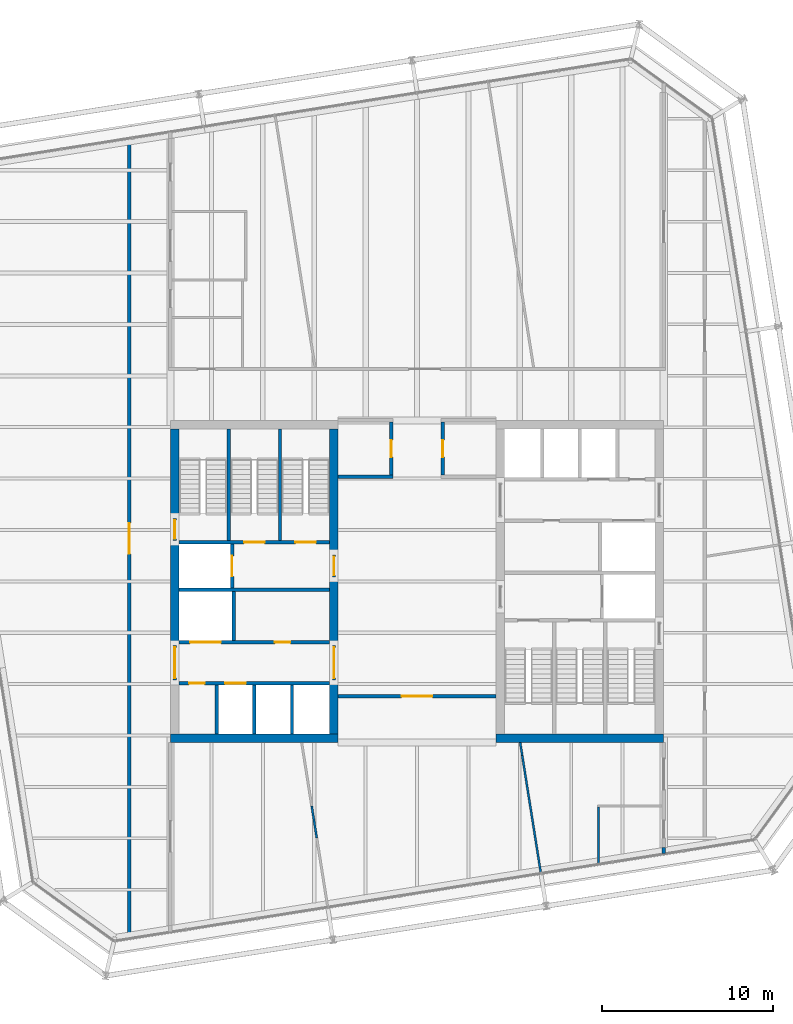
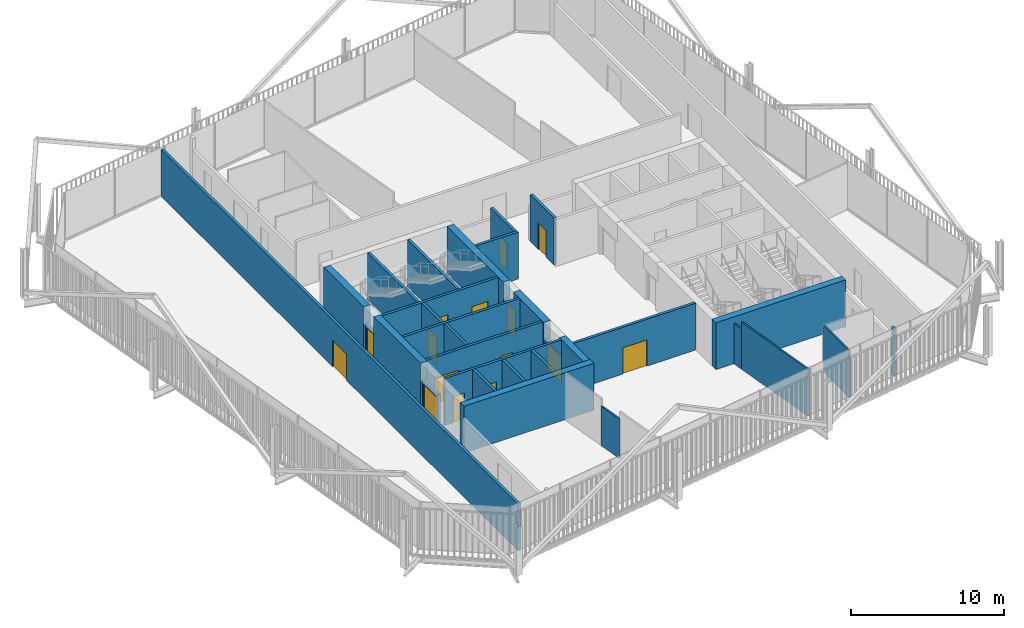
# One storey, part 17 of 21: 32 walls, 15 doors, 15 openings.
"""IFC4 building model written with IfcOpenShell, lengths in metres."""

from ifc_helpers import new_model, si_unit, direction, frame, frame_2d, origin, place, context, subcontext, project, spatial, rectangle, extrude, material, layer, layer_set, type_object, element, fill, save


model = new_model("IFC4")

# Units and contexts
model_context = context("Model", 3, precision=1e-05, world=origin(), true_north=direction((0.0, 1.0)))
body_context = subcontext(model_context, "Body", "Model", "MODEL_VIEW")
ifc_project = project(units=[si_unit("LENGTHUNIT", "METRE"), si_unit("AREAUNIT", "SQUARE_METRE"), si_unit("VOLUMEUNIT", "CUBIC_METRE"), si_unit("PLANEANGLEUNIT", "RADIAN"), si_unit("MASSUNIT", "GRAM", prefix="KILO")], contexts=[model_context])

# Site, building, storey
site_placement = place(None, origin())
site = spatial("IfcSite", under=ifc_project, at=site_placement, CompositionType="ELEMENT")
building_placement = place(site_placement, origin())
building = spatial("IfcBuilding", under=site, at=building_placement, Name="Millrace Tower", CompositionType="ELEMENT")
storey_placement = place(building_placement, frame((0.0, 0.0, 228.10009765625)))
storey = spatial("IfcBuildingStorey", under=building, at=storey_placement, Name="L52", CompositionType="ELEMENT", Elevation=228.10009765625)

# Walls
ifc_material_1 = material(Name="Concrete C60", Category="concrete")
ifc_layer_1 = layer(ifc_material_1, 0.5)
ifc_layer_set_1 = layer_set([ifc_layer_1], Name="Concrete C60")
wall_type_1 = type_object("IfcWallType", Name="Core wall 500 Concrete C60", PredefinedType="SHEAR", material=ifc_layer_set_1)
wall_1_placement = place(storey_placement, frame((-14.39990234375, -9.14990234375, 0.0), z_axis=(0.0, 0.0, 1.0), x_axis=(1.0, 0.0, 0.0)))
element("IfcWall", 1, at=wall_1_placement, inside=storey, type_object=wall_type_1, Name="Core wall W L52", PredefinedType="SHEAR", context=body_context, shape_type="SweptSolid", body=[
    extrude(rectangle(XDim=9.7998046875, YDim=0.5, at=frame_2d((4.89990234375, 0.0))), origin(), (0.0, 0.0, 1.0), 3.739990234375),
])
wall_2_placement = place(storey_placement, frame((-14.14990234375, -3.75, 0.0), z_axis=(0.0, 0.0, 1.0), x_axis=(0.0, 1.0, 0.0)))
element("IfcWall", 2, at=wall_2_placement, inside=storey, type_object=wall_type_1, Name="Core wall W L52", PredefinedType="SHEAR", context=body_context, shape_type="SweptSolid", body=[
    extrude(rectangle(XDim=6.1298828125, YDim=0.5, at=frame_2d((3.06494140625, 0.0))), origin(), (0.0, 0.0, 1.0), 3.739990234375),
])
wall_3_placement = place(storey_placement, frame((-14.14990234375, 3.679931640625, 0.0), z_axis=(0.0, 0.0, 1.0), x_axis=(0.0, 1.0, 0.0)))
element("IfcWall", 3, at=wall_3_placement, inside=storey, type_object=wall_type_1, Name="Core wall W L52", PredefinedType="SHEAR", context=body_context, shape_type="SweptSolid", body=[
    extrude(rectangle(XDim=5.219970703125, YDim=0.5, at=frame_2d((2.60986328125, 0.0))), origin(), (0.0, 0.0, 1.0), 3.739990234375),
])
wall_4_placement = place(storey_placement, frame((-4.85009765625, -8.89990234375, 0.0), z_axis=(0.0, 0.0, 1.0), x_axis=(0.0, 1.0, 0.0)))
element("IfcWall", 4, at=wall_4_placement, inside=storey, type_object=wall_type_1, Name="Core wall W L52", PredefinedType="SHEAR", context=body_context, shape_type="SweptSolid", body=[
    extrude(rectangle(XDim=3.14990234375, YDim=0.5, at=frame_2d((1.574951171875, 0.0))), origin(), (0.0, 0.0, 1.0), 3.739990234375),
])
wall_5_placement = place(storey_placement, frame((-4.85009765625, -3.75, 0.0), z_axis=(0.0, 0.0, 1.0), x_axis=(0.0, 1.0, 0.0)))
element("IfcWall", 5, at=wall_5_placement, inside=storey, type_object=wall_type_1, Name="Core wall W L52", PredefinedType="SHEAR", context=body_context, shape_type="SweptSolid", body=[
    extrude(rectangle(XDim=4.0, YDim=0.5, at=frame_2d((2.0, 0.0))), origin(), (0.0, 0.0, 1.0), 3.739990234375),
])
wall_6_placement = place(storey_placement, frame((-4.85009765625, 1.550048828125, 0.0), z_axis=(0.0, 0.0, 1.0), x_axis=(0.0, 1.0, 0.0)))
element("IfcWall", 6, at=wall_6_placement, inside=storey, type_object=wall_type_1, Name="Core wall W L52", PredefinedType="SHEAR", context=body_context, shape_type="SweptSolid", body=[
    extrude(rectangle(XDim=7.349853515625, YDim=0.5, at=frame_2d((3.6748046875, 0.0))), origin(), (0.0, 0.0, 1.0), 3.739990234375),
])
wall_7_placement = place(storey_placement, frame((14.39990234375, -9.14990234375, 0.0), z_axis=(0.0, 0.0, 1.0), x_axis=(-1.0, 0.0, 0.0)))
element("IfcWall", 7, at=wall_7_placement, inside=storey, type_object=wall_type_1, Name="Core wall E L52", PredefinedType="SHEAR", context=body_context, shape_type="SweptSolid", body=[
    extrude(rectangle(XDim=9.7998046875, YDim=0.5, at=frame_2d((4.89990234375, 0.0))), origin(), (0.0, 0.0, 1.0), 3.739990234375),
])

# Wall, opening, door
ifc_material_2 = material(Name="Masonry partition, fire-rated", Category="masonry")
ifc_layer_2 = layer(ifc_material_2, 0.199951171875)
ifc_layer_set_2 = layer_set([ifc_layer_2], Name="Masonry partition, fire-rated")
wall_type_2 = type_object("IfcWallType", Name="Corridor wall 200", PredefinedType="PARTITIONING", material=ifc_layer_set_2)
wall_8_placement = place(storey_placement, frame((-4.60009765625, -6.699951171875, 0.0), z_axis=(0.0, 0.0, 1.0), x_axis=(1.0, 0.0, 0.0)))
wall_8 = element("IfcWall", 8, at=wall_8_placement, inside=storey, type_object=wall_type_2, Name="Corridor wall L52", PredefinedType="PARTITIONING", context=body_context, shape_type="SweptSolid", body=[
    extrude(rectangle(XDim=9.2001953125, YDim=0.199951171875, at=frame_2d((4.60009765625, 0.0))), origin(), (0.0, 0.0, 1.0), 3.739990234375),
])
opening_1_placement = place(wall_8_placement, frame((3.699951171875, 0.0, 0.0)))
opening_1 = element("IfcOpeningElement", 9, at=opening_1_placement, cuts=wall_8, Name="Opening 52-P013", PredefinedType="OPENING", context=body_context, shape_type="SweptSolid", body=[
    extrude(rectangle(XDim=1.800048828125, YDim=2.10009765625, at=frame_2d((0.89990234375, 1.050048828125))), frame((0.0, 0.10986328125, 0.0), z_axis=(0.0, -1.0, 0.0), x_axis=(1.0, 0.0, 0.0)), (0.0, 0.0, 1.0), 0.219970703125),
])
ifc_material_3 = material(Name="Steel door set, fire-rated", Category="steel")
door_type_1 = type_object("IfcDoorType", Name="Corridor door 1800 x 2100", OperationType="DOUBLE_DOOR_SINGLE_SWING", PredefinedType="DOOR", material=ifc_material_3)
door_1_placement = place(opening_1_placement, frame((1.800048828125, 0.0, 0.0), z_axis=(0.0, 0.0, 1.0), x_axis=(-1.0, 0.0, 0.0)))
door_1 = element("IfcDoor", 10, at=door_1_placement, inside=storey, type_object=door_type_1, Name="Door 52-P013", OperationType="DOUBLE_DOOR_SINGLE_SWING", OverallHeight=2.10009765625, OverallWidth=1.800048828125, PredefinedType="DOOR", context=body_context, shape_type="SweptSolid", body=[
    extrude(rectangle(XDim=1.800048828125, YDim=2.10009765625, at=frame_2d((0.89990234375, 1.050048828125))), frame((0.0, 0.02490234375, 0.0), z_axis=(0.0, -1.0, 0.0), x_axis=(1.0, 0.0, 0.0)), (0.0, 0.0, 1.0), 0.050048828125),
])
fill(opening_1, door_1)

# Walls
wall_9_placement = place(storey_placement, frame((-4.60009765625, 6.10009765625, 0.0), z_axis=(0.0, 0.0, 1.0), x_axis=(1.0, 0.0, 0.0)))
element("IfcWall", 11, at=wall_9_placement, inside=storey, type_object=wall_type_2, Name="Corridor wall L52", PredefinedType="PARTITIONING", context=body_context, shape_type="SweptSolid", body=[
    extrude(rectangle(XDim=3.2001953125, YDim=0.199951171875, at=frame_2d((1.60009765625, 0.0))), origin(), (0.0, 0.0, 1.0), 3.739990234375),
])
wall_10_placement = place(storey_placement, frame((14.39990234375, -15.87451171875, 0.0), z_axis=(0.0, 0.0, 1.0), x_axis=(0.0, 1.0, 0.0)))
element("IfcWall", 12, at=wall_10_placement, inside=storey, type_object=wall_type_2, Name="Corridor wall L52", PredefinedType="PARTITIONING", context=body_context, shape_type="SweptSolid", body=[
    extrude(rectangle(XDim=0.349609375, YDim=0.199951171875, at=frame_2d((0.1748046875, 0.0))), origin(), (0.0, 0.0, 1.0), 3.739990234375),
])

# Wall, opening, door
wall_11_placement = place(storey_placement, frame((1.5, 6.199951171875, 0.0), z_axis=(0.0, 0.0, 1.0), x_axis=(0.0, 1.0, 0.0)))
wall_11 = element("IfcWall", 13, at=wall_11_placement, inside=storey, type_object=wall_type_2, Name="Corridor wall L52", PredefinedType="PARTITIONING", context=body_context, shape_type="SweptSolid", body=[
    extrude(rectangle(XDim=3.10009765625, YDim=0.199951171875, at=frame_2d((1.550048828125, 0.0))), origin(), (0.0, 0.0, 1.0), 3.739990234375),
])
opening_2_placement = place(wall_11_placement, frame((1.050048828125, 0.0, 0.0)))
opening_2 = element("IfcOpeningElement", 14, at=opening_2_placement, cuts=wall_11, Name="Opening 52-P002", PredefinedType="OPENING", context=body_context, shape_type="SweptSolid", body=[
    extrude(rectangle(XDim=1.0, YDim=2.10009765625, at=frame_2d((0.5, 1.050048828125))), frame((0.0, 0.10986328125, 0.0), z_axis=(0.0, -1.0, 0.0), x_axis=(1.0, 0.0, 0.0)), (0.0, 0.0, 1.0), 0.219970703125),
])
ifc_material_4 = material(Name="Steel door set, fire-rated", Category="steel")
door_type_2 = type_object("IfcDoorType", Name="Corridor door 1000 x 2100", OperationType="SINGLE_SWING_LEFT", PredefinedType="DOOR", material=ifc_material_4)
door_2_placement = place(opening_2_placement, frame((1.0, 0.0, 0.0), z_axis=(0.0, 0.0, 1.0), x_axis=(-1.0, 0.0, 0.0)))
door_2 = element("IfcDoor", 15, at=door_2_placement, inside=storey, type_object=door_type_2, Name="Door 52-P002", OperationType="SINGLE_SWING_RIGHT", OverallHeight=2.10009765625, OverallWidth=1.0, PredefinedType="DOOR", context=body_context, shape_type="SweptSolid", body=[
    extrude(rectangle(XDim=1.0, YDim=2.10009765625, at=frame_2d((0.5, 1.050048828125))), frame((0.0, 0.02490234375, 0.0), z_axis=(0.0, -1.0, 0.0), x_axis=(1.0, 0.0, 0.0)), (0.0, 0.0, 1.0), 0.050048828125),
])
fill(opening_2, door_2)

wall_12_placement = place(storey_placement, frame((-1.5, 6.199951171875, 0.0), z_axis=(0.0, 0.0, 1.0), x_axis=(0.0, 1.0, 0.0)))
wall_12 = element("IfcWall", 16, at=wall_12_placement, inside=storey, type_object=wall_type_2, Name="Corridor wall L52", PredefinedType="PARTITIONING", context=body_context, shape_type="SweptSolid", body=[
    extrude(rectangle(XDim=3.10009765625, YDim=0.199951171875, at=frame_2d((1.550048828125, 0.0))), origin(), (0.0, 0.0, 1.0), 3.739990234375),
])
opening_3_placement = place(wall_12_placement, frame((1.050048828125, 0.0, 0.0)))
opening_3 = element("IfcOpeningElement", 17, at=opening_3_placement, cuts=wall_12, Name="Opening 52-P001", PredefinedType="OPENING", context=body_context, shape_type="SweptSolid", body=[
    extrude(rectangle(XDim=1.0, YDim=2.10009765625, at=frame_2d((0.5, 1.050048828125))), frame((0.0, 0.10986328125, 0.0), z_axis=(0.0, -1.0, 0.0), x_axis=(1.0, 0.0, 0.0)), (0.0, 0.0, 1.0), 0.219970703125),
])
door_3_placement = place(opening_3_placement, origin())
door_3 = element("IfcDoor", 18, at=door_3_placement, inside=storey, type_object=door_type_2, Name="Door 52-P001", OperationType="SINGLE_SWING_LEFT", OverallHeight=2.10009765625, OverallWidth=1.0, PredefinedType="DOOR", context=body_context, shape_type="SweptSolid", body=[
    extrude(rectangle(XDim=1.0, YDim=2.10009765625, at=frame_2d((0.5, 1.050048828125))), frame((0.0, 0.02490234375, 0.0), z_axis=(0.0, -1.0, 0.0), x_axis=(1.0, 0.0, 0.0)), (0.0, 0.0, 1.0), 0.050048828125),
])
fill(opening_3, door_3)

wall_13_placement = place(storey_placement, frame((-16.800048828125, -20.816162109375, 0.0), z_axis=(0.0, 0.0, 1.0), x_axis=(0.0, 1.0, 0.0)))
wall_13 = element("IfcWall", 19, at=wall_13_placement, inside=storey, type_object=wall_type_2, Name="Corridor wall L52", PredefinedType="PARTITIONING", context=body_context, shape_type="SweptSolid", body=[
    extrude(rectangle(XDim=46.63427734375, YDim=0.199951171875, at=frame_2d((23.317138671875, 0.0))), origin(), (0.0, 0.0, 1.0), 3.739990234375),
])
opening_4_placement = place(wall_13_placement, frame((22.416748046875, 0.0, 0.0)))
opening_4 = element("IfcOpeningElement", 20, at=opening_4_placement, cuts=wall_13, Name="Opening 52-P003", PredefinedType="OPENING", context=body_context, shape_type="SweptSolid", body=[
    extrude(rectangle(XDim=1.800048828125, YDim=2.10009765625, at=frame_2d((0.89990234375, 1.050048828125))), frame((0.0, 0.10986328125, 0.0), z_axis=(0.0, -1.0, 0.0), x_axis=(1.0, 0.0, 0.0)), (0.0, 0.0, 1.0), 0.219970703125),
])
door_4_placement = place(opening_4_placement, frame((1.800048828125, 0.0, 0.0), z_axis=(0.0, 0.0, 1.0), x_axis=(-1.0, 0.0, 0.0)))
door_4 = element("IfcDoor", 21, at=door_4_placement, inside=storey, type_object=door_type_1, Name="Door 52-P003", OperationType="DOUBLE_DOOR_SINGLE_SWING", OverallHeight=2.10009765625, OverallWidth=1.800048828125, PredefinedType="DOOR", context=body_context, shape_type="SweptSolid", body=[
    extrude(rectangle(XDim=1.800048828125, YDim=2.10009765625, at=frame_2d((0.89990234375, 1.050048828125))), frame((0.0, 0.02490234375, 0.0), z_axis=(0.0, -1.0, 0.0), x_axis=(1.0, 0.0, 0.0)), (0.0, 0.0, 1.0), 0.050048828125),
])
fill(opening_4, door_4)

# Wall, openings, doors
ifc_material_5 = material(Name="Masonry partition, fire-rated", Category="masonry")
ifc_layer_3 = layer(ifc_material_5, 0.199951171875)
ifc_layer_set_3 = layer_set([ifc_layer_3], Name="Masonry partition, fire-rated")
wall_type_3 = type_object("IfcWallType", Name="Lift shaft wall 200", PredefinedType="PARTITIONING", material=ifc_layer_set_3)
wall_14_placement = place(storey_placement, frame((-13.89990234375, -5.949951171875, 0.0), z_axis=(0.0, 0.0, 1.0), x_axis=(1.0, 0.0, 0.0)))
wall_14 = element("IfcWall", 22, at=wall_14_placement, inside=storey, type_object=wall_type_3, Name="Lift shaft wall W L52", PredefinedType="PARTITIONING", context=body_context, shape_type="SweptSolid", body=[
    extrude(rectangle(XDim=8.7998046875, YDim=0.199951171875, at=frame_2d((4.39990234375, 0.0))), origin(), (0.0, 0.0, 1.0), 3.739990234375),
])
opening_5_placement = place(wall_14_placement, frame((2.699951171875, 0.0, 0.0)))
opening_5 = element("IfcOpeningElement", 23, at=opening_5_placement, cuts=wall_14, Name="Opening 52-LD02", PredefinedType="OPENING", context=body_context, shape_type="SweptSolid", body=[
    extrude(rectangle(XDim=1.199951171875, YDim=2.10009765625, at=frame_2d((0.60009765625, 1.050048828125))), frame((0.0, 0.10986328125, 0.0), z_axis=(0.0, -1.0, 0.0), x_axis=(1.0, 0.0, 0.0)), (0.0, 0.0, 1.0), 0.219970703125),
])
opening_6_placement = place(wall_14_placement, frame((0.60009765625, 0.0, 0.0)))
opening_6 = element("IfcOpeningElement", 24, at=opening_6_placement, cuts=wall_14, Name="Opening 52-C005", PredefinedType="OPENING", context=body_context, shape_type="SweptSolid", body=[
    extrude(rectangle(XDim=0.89990234375, YDim=2.10009765625, at=frame_2d((0.449951171875, 1.050048828125))), frame((0.0, 0.10986328125, 0.0), z_axis=(0.0, -1.0, 0.0), x_axis=(1.0, 0.0, 0.0)), (0.0, 0.0, 1.0), 0.219970703125),
])
ifc_material_6 = material(Name="Stainless steel, fire-rated", Category="steel")
door_type_3 = type_object("IfcDoorType", Name="Lift landing door 1200 x 2100", OperationType="DOUBLE_DOOR_SLIDING", PredefinedType="DOOR", material=ifc_material_6)
door_5_placement = place(opening_5_placement, origin())
door_5 = element("IfcDoor", 25, at=door_5_placement, inside=storey, type_object=door_type_3, Name="Lift landing door LF2 L52", OperationType="DOUBLE_DOOR_SLIDING", OverallHeight=2.10009765625, OverallWidth=1.199951171875, PredefinedType="DOOR", context=body_context, shape_type="SweptSolid", body=[
    extrude(rectangle(XDim=1.199951171875, YDim=2.10009765625, at=frame_2d((0.60009765625, 1.050048828125))), frame((0.0, 0.02490234375, 0.0), z_axis=(0.0, -1.0, 0.0), x_axis=(1.0, 0.0, 0.0)), (0.0, 0.0, 1.0), 0.050048828125),
])
fill(opening_5, door_5)
ifc_material_7 = material(Name="Steel door, fire-rated", Category="steel")
door_type_4 = type_object("IfcDoorType", Name="Service room door 900 x 2100", OperationType="SINGLE_SWING_LEFT", PredefinedType="DOOR", material=ifc_material_7)
door_6_placement = place(opening_6_placement, frame((0.89990234375, 0.0, 0.0), z_axis=(0.0, 0.0, 1.0), x_axis=(-1.0, 0.0, 0.0)))
door_6 = element("IfcDoor", 26, at=door_6_placement, inside=storey, type_object=door_type_4, Name="Service room door 52-C005", OperationType="SINGLE_SWING_RIGHT", OverallHeight=2.10009765625, OverallWidth=0.89990234375, PredefinedType="DOOR", context=body_context, shape_type="SweptSolid", body=[
    extrude(rectangle(XDim=0.89990234375, YDim=2.10009765625, at=frame_2d((0.449951171875, 1.050048828125))), frame((0.0, 0.02490234375, 0.0), z_axis=(0.0, -1.0, 0.0), x_axis=(1.0, 0.0, 0.0)), (0.0, 0.0, 1.0), 0.050048828125),
])
fill(opening_6, door_6)

wall_15_placement = place(storey_placement, frame((-13.89990234375, -3.550048828125, 0.0), z_axis=(0.0, 0.0, 1.0), x_axis=(1.0, 0.0, 0.0)))
wall_15 = element("IfcWall", 27, at=wall_15_placement, inside=storey, type_object=wall_type_3, Name="Lift shaft wall W L52", PredefinedType="PARTITIONING", context=body_context, shape_type="SweptSolid", body=[
    extrude(rectangle(XDim=8.7998046875, YDim=0.199951171875, at=frame_2d((4.39990234375, 0.0))), origin(), (0.0, 0.0, 1.0), 3.739990234375),
])
opening_7_placement = place(wall_15_placement, frame((0.64990234375, 0.0, 0.0)))
opening_7 = element("IfcOpeningElement", 28, at=opening_7_placement, cuts=wall_15, Name="Opening 52-LD05", PredefinedType="OPENING", context=body_context, shape_type="SweptSolid", body=[
    extrude(rectangle(XDim=1.800048828125, YDim=2.10009765625, at=frame_2d((0.89990234375, 1.050048828125))), frame((0.0, 0.10986328125, 0.0), z_axis=(0.0, -1.0, 0.0), x_axis=(1.0, 0.0, 0.0)), (0.0, 0.0, 1.0), 0.219970703125),
])
opening_8_placement = place(wall_15_placement, frame((5.60009765625, 0.0, 0.0)))
opening_8 = element("IfcOpeningElement", 29, at=opening_8_placement, cuts=wall_15, Name="Opening 52-C006", PredefinedType="OPENING", context=body_context, shape_type="SweptSolid", body=[
    extrude(rectangle(XDim=0.89990234375, YDim=2.10009765625, at=frame_2d((0.449951171875, 1.050048828125))), frame((0.0, 0.10986328125, 0.0), z_axis=(0.0, -1.0, 0.0), x_axis=(1.0, 0.0, 0.0)), (0.0, 0.0, 1.0), 0.219970703125),
])
ifc_material_8 = material(Name="Stainless steel, fire-rated", Category="steel")
door_type_5 = type_object("IfcDoorType", Name="Lift landing door 1800 x 2100", OperationType="DOUBLE_DOOR_SLIDING", PredefinedType="DOOR", material=ifc_material_8)
door_7_placement = place(opening_7_placement, origin())
door_7 = element("IfcDoor", 30, at=door_7_placement, inside=storey, type_object=door_type_5, Name="Lift landing door LF5 L52", OperationType="DOUBLE_DOOR_SLIDING", OverallHeight=2.10009765625, OverallWidth=1.800048828125, PredefinedType="DOOR", context=body_context, shape_type="SweptSolid", body=[
    extrude(rectangle(XDim=1.800048828125, YDim=2.10009765625, at=frame_2d((0.89990234375, 1.050048828125))), frame((0.0, 0.02490234375, 0.0), z_axis=(0.0, -1.0, 0.0), x_axis=(1.0, 0.0, 0.0)), (0.0, 0.0, 1.0), 0.050048828125),
])
fill(opening_7, door_7)
door_8_placement = place(opening_8_placement, origin())
door_8 = element("IfcDoor", 31, at=door_8_placement, inside=storey, type_object=door_type_4, Name="Service room door 52-C006", OperationType="SINGLE_SWING_RIGHT", OverallHeight=2.10009765625, OverallWidth=0.89990234375, PredefinedType="DOOR", context=body_context, shape_type="SweptSolid", body=[
    extrude(rectangle(XDim=0.89990234375, YDim=2.10009765625, at=frame_2d((0.449951171875, 1.050048828125))), frame((0.0, 0.02490234375, 0.0), z_axis=(0.0, -1.0, 0.0), x_axis=(1.0, 0.0, 0.0)), (0.0, 0.0, 1.0), 0.050048828125),
])
fill(opening_8, door_8)

# Wall
wall_16_placement = place(storey_placement, frame((-13.89990234375, -0.5, 0.0), z_axis=(0.0, 0.0, 1.0), x_axis=(1.0, 0.0, 0.0)))
element("IfcWall", 32, at=wall_16_placement, inside=storey, type_object=wall_type_3, Name="Lift shaft wall W L52", PredefinedType="PARTITIONING", context=body_context, shape_type="SweptSolid", body=[
    extrude(rectangle(XDim=8.7998046875, YDim=0.199951171875, at=frame_2d((4.39990234375, 0.0))), origin(), (0.0, 0.0, 1.0), 3.739990234375),
])

# Wall, opening, door
wall_17_placement = place(storey_placement, frame((-10.800048828125, -0.39990234375, 0.0), z_axis=(0.0, 0.0, 1.0), x_axis=(0.0, 1.0, 0.0)))
wall_17 = element("IfcWall", 33, at=wall_17_placement, inside=storey, type_object=wall_type_3, Name="Lift shaft wall W L52", PredefinedType="PARTITIONING", context=body_context, shape_type="SweptSolid", body=[
    extrude(rectangle(XDim=2.579833984375, YDim=0.199951171875, at=frame_2d((1.2900390625, 0.0))), origin(), (0.0, 0.0, 1.0), 3.739990234375),
])
opening_9_placement = place(wall_17_placement, frame((0.68994140625, 0.0, 0.0)))
opening_9 = element("IfcOpeningElement", 34, at=opening_9_placement, cuts=wall_17, Name="Opening 52-LD08", PredefinedType="OPENING", context=body_context, shape_type="SweptSolid", body=[
    extrude(rectangle(XDim=1.199951171875, YDim=2.10009765625, at=frame_2d((0.60009765625, 1.050048828125))), frame((0.0, 0.10986328125, 0.0), z_axis=(0.0, -1.0, 0.0), x_axis=(1.0, 0.0, 0.0)), (0.0, 0.0, 1.0), 0.219970703125),
])
door_9_placement = place(opening_9_placement, origin())
door_9 = element("IfcDoor", 35, at=door_9_placement, inside=storey, type_object=door_type_3, Name="Lift landing door LF8 L52", OperationType="DOUBLE_DOOR_SLIDING", OverallHeight=2.10009765625, OverallWidth=1.199951171875, PredefinedType="DOOR", context=body_context, shape_type="SweptSolid", body=[
    extrude(rectangle(XDim=1.199951171875, YDim=2.10009765625, at=frame_2d((0.60009765625, 1.050048828125))), frame((0.0, 0.02490234375, 0.0), z_axis=(0.0, -1.0, 0.0), x_axis=(1.0, 0.0, 0.0)), (0.0, 0.0, 1.0), 0.050048828125),
])
fill(opening_9, door_9)

# Walls
for number, where, z_axis, x_axis, name in (
    (36, (-11.699951171875, -8.89990234375, 0.0), (0.0, 0.0, 1.0), (0.0, 1.0, 0.0), "Lift shaft wall W L52"),
    (37, (-9.5, -8.89990234375, 0.0), (0.0, 0.0, 1.0), (0.0, 1.0, 0.0), "Lift shaft wall W L52"),
    (38, (-7.300048828125, -8.89990234375, 0.0), (0.0, 0.0, 1.0), (0.0, 1.0, 0.0), "Lift shaft wall W L52"),
    (39, (-10.699951171875, -3.449951171875, 0.0), (0.0, 0.0, 1.0), (0.0, 1.0, 0.0), "Lift shaft wall W L52"),
):
    element("IfcWall", number, at=place(storey_placement, frame(where, z_axis=z_axis, x_axis=x_axis)), inside=storey, type_object=wall_type_3, Name=name, PredefinedType="PARTITIONING", context=body_context, shape_type="SweptSolid", body=[
        extrude(rectangle(XDim=2.849853515625, YDim=0.199951171875, at=frame_2d((1.4248046875, 0.0))), origin(), (0.0, 0.0, 1.0), 3.739990234375),
    ])

# Wall, opening, door
ifc_material_9 = material(Name="Masonry partition, fire-rated", Category="masonry")
ifc_layer_4 = layer(ifc_material_9, 0.199951171875)
ifc_layer_set_4 = layer_set([ifc_layer_4], Name="Masonry partition, fire-rated")
wall_type_4 = type_object("IfcWallType", Name="Lobby wall 200", PredefinedType="PARTITIONING", material=ifc_layer_set_4)
wall_18_placement = place(storey_placement, frame((-14.14990234375, -5.75, 0.0), z_axis=(0.0, 0.0, 1.0), x_axis=(0.0, 1.0, 0.0)))
wall_18 = element("IfcWall", 40, at=wall_18_placement, inside=storey, type_object=wall_type_4, Name="Lobby wall W L52", PredefinedType="PARTITIONING", context=body_context, shape_type="SweptSolid", body=[
    extrude(rectangle(XDim=2.0, YDim=0.199951171875, at=frame_2d((1.0, 0.0))), origin(), (0.0, 0.0, 1.0), 2.39990234375),
])
opening_10_placement = place(wall_18_placement, frame((0.10009765625, 0.0, 0.0)))
opening_10 = element("IfcOpeningElement", 41, at=opening_10_placement, cuts=wall_18, Name="Opening 52-C001", PredefinedType="OPENING", context=body_context, shape_type="SweptSolid", body=[
    extrude(rectangle(XDim=1.800048828125, YDim=2.10009765625, at=frame_2d((0.89990234375, 1.050048828125))), frame((0.0, 0.10986328125, 0.0), z_axis=(0.0, -1.0, 0.0), x_axis=(1.0, 0.0, 0.0)), (0.0, 0.0, 1.0), 0.219970703125),
])
ifc_material_10 = material(Name="Steel door, fire-rated", Category="steel")
door_type_6 = type_object("IfcDoorType", Name="Lobby door 1800 x 2100", OperationType="DOUBLE_DOOR_SINGLE_SWING", PredefinedType="DOOR", material=ifc_material_10)
door_10_placement = place(opening_10_placement, origin())
door_10 = element("IfcDoor", 42, at=door_10_placement, inside=storey, type_object=door_type_6, Name="Lobby door 52-C001", OperationType="DOUBLE_DOOR_SINGLE_SWING", OverallHeight=2.10009765625, OverallWidth=1.800048828125, PredefinedType="DOOR", context=body_context, shape_type="SweptSolid", body=[
    extrude(rectangle(XDim=1.800048828125, YDim=2.10009765625, at=frame_2d((0.89990234375, 1.050048828125))), frame((0.0, 0.02490234375, 0.0), z_axis=(0.0, -1.0, 0.0), x_axis=(1.0, 0.0, 0.0)), (0.0, 0.0, 1.0), 0.050048828125),
])
fill(opening_10, door_10)

wall_19_placement = place(storey_placement, frame((-4.85009765625, -5.75, 0.0), z_axis=(0.0, 0.0, 1.0), x_axis=(0.0, 1.0, 0.0)))
wall_19 = element("IfcWall", 43, at=wall_19_placement, inside=storey, type_object=wall_type_4, Name="Lobby wall W L52", PredefinedType="PARTITIONING", context=body_context, shape_type="SweptSolid", body=[
    extrude(rectangle(XDim=2.0, YDim=0.199951171875, at=frame_2d((1.0, 0.0))), origin(), (0.0, 0.0, 1.0), 2.39990234375),
])
opening_11_placement = place(wall_19_placement, frame((0.10009765625, 0.0, 0.0)))
opening_11 = element("IfcOpeningElement", 44, at=opening_11_placement, cuts=wall_19, Name="Opening 52-C003", PredefinedType="OPENING", context=body_context, shape_type="SweptSolid", body=[
    extrude(rectangle(XDim=1.800048828125, YDim=2.10009765625, at=frame_2d((0.89990234375, 1.050048828125))), frame((0.0, 0.10986328125, 0.0), z_axis=(0.0, -1.0, 0.0), x_axis=(1.0, 0.0, 0.0)), (0.0, 0.0, 1.0), 0.219970703125),
])
door_11_placement = place(opening_11_placement, frame((1.800048828125, 0.0, 0.0), z_axis=(0.0, 0.0, 1.0), x_axis=(-1.0, 0.0, 0.0)))
door_11 = element("IfcDoor", 45, at=door_11_placement, inside=storey, type_object=door_type_6, Name="Lobby door 52-C003", OperationType="DOUBLE_DOOR_SINGLE_SWING", OverallHeight=2.10009765625, OverallWidth=1.800048828125, PredefinedType="DOOR", context=body_context, shape_type="SweptSolid", body=[
    extrude(rectangle(XDim=1.800048828125, YDim=2.10009765625, at=frame_2d((0.89990234375, 1.050048828125))), frame((0.0, 0.02490234375, 0.0), z_axis=(0.0, -1.0, 0.0), x_axis=(1.0, 0.0, 0.0)), (0.0, 0.0, 1.0), 0.050048828125),
])
fill(opening_11, door_11)

wall_20_placement = place(storey_placement, frame((-4.85009765625, 0.25, 0.0), z_axis=(0.0, 0.0, 1.0), x_axis=(0.0, 1.0, 0.0)))
wall_20 = element("IfcWall", 46, at=wall_20_placement, inside=storey, type_object=wall_type_4, Name="Lobby wall W L52", PredefinedType="PARTITIONING", context=body_context, shape_type="SweptSolid", body=[
    extrude(rectangle(XDim=1.300048828125, YDim=0.199951171875, at=frame_2d((0.64990234375, 0.0))), origin(), (0.0, 0.0, 1.0), 2.39990234375),
])
opening_12_placement = place(wall_20_placement, frame((0.10009765625, 0.0, 0.0)))
opening_12 = element("IfcOpeningElement", 47, at=opening_12_placement, cuts=wall_20, Name="Opening 52-C004", PredefinedType="OPENING", context=body_context, shape_type="SweptSolid", body=[
    extrude(rectangle(XDim=1.10009765625, YDim=2.10009765625, at=frame_2d((0.550048828125, 1.050048828125))), frame((0.0, 0.10986328125, 0.0), z_axis=(0.0, -1.0, 0.0), x_axis=(1.0, 0.0, 0.0)), (0.0, 0.0, 1.0), 0.219970703125),
])
ifc_material_11 = material(Name="Steel door, fire-rated", Category="steel")
door_type_7 = type_object("IfcDoorType", Name="Lobby door 1100 x 2100", OperationType="SINGLE_SWING_LEFT", PredefinedType="DOOR", material=ifc_material_11)
door_12_placement = place(opening_12_placement, frame((1.10009765625, 0.0, 0.0), z_axis=(0.0, 0.0, 1.0), x_axis=(-1.0, 0.0, 0.0)))
door_12 = element("IfcDoor", 48, at=door_12_placement, inside=storey, type_object=door_type_7, Name="Lobby door 52-C004", OperationType="SINGLE_SWING_LEFT", OverallHeight=2.10009765625, OverallWidth=1.10009765625, PredefinedType="DOOR", context=body_context, shape_type="SweptSolid", body=[
    extrude(rectangle(XDim=1.10009765625, YDim=2.10009765625, at=frame_2d((0.550048828125, 1.050048828125))), frame((0.0, 0.02490234375, 0.0), z_axis=(0.0, -1.0, 0.0), x_axis=(1.0, 0.0, 0.0)), (0.0, 0.0, 1.0), 0.050048828125),
])
fill(opening_12, door_12)

# Walls
ifc_material_12 = material(Name="Gypsum board partition")
ifc_layer_5 = layer(ifc_material_12, 0.1201171875)
ifc_layer_set_5 = layer_set([ifc_layer_5], Name="Gypsum board partition")
wall_type_5 = type_object("IfcWallType", Name="Partition wall 120", PredefinedType="PARTITIONING", material=ifc_layer_set_5)
wall_21_placement = place(storey_placement, frame((-6.148193359375, -13.119140625, 0.0), z_axis=(0.0, 0.0, 1.0), x_axis=(0.1562533807, -0.987717004521, 0.0)))
element("IfcWall", 49, at=wall_21_placement, inside=storey, type_object=wall_type_5, Name="Partition wall L52", PredefinedType="PARTITIONING", context=body_context, shape_type="SweptSolid", body=[
    extrude(rectangle(XDim=1.896728515625, YDim=0.1201171875, at=frame_2d((0.9482421875, 0.0))), origin(), (0.0, 0.0, 1.0), 3.140380859375),
])
wall_22_placement = place(storey_placement, frame((6.02001953125, -9.39990234375, 0.0), z_axis=(0.0, 0.0, 1.0), x_axis=(0.1563648424, -0.987699365223, 0.0)))
element("IfcWall", 50, at=wall_22_placement, inside=storey, type_object=wall_type_5, Name="Partition wall L52", PredefinedType="PARTITIONING", context=body_context, shape_type="SweptSolid", body=[
    extrude(rectangle(XDim=0.779052734375, YDim=0.1201171875, at=frame_2d((0.3896484375, 0.0))), origin(), (0.0, 0.0, 1.0), 3.214111328125),
])
wall_23_placement = place(storey_placement, frame((6.141845703125, -10.16943359375, 0.0), z_axis=(0.0, 0.0, 1.0), x_axis=(0.156351697361, -0.987701446153, 0.0)))
element("IfcWall", 51, at=wall_23_placement, inside=storey, type_object=wall_type_5, Name="Partition wall L52", PredefinedType="PARTITIONING", context=body_context, shape_type="SweptSolid", body=[
    extrude(rectangle(XDim=6.9267578125, YDim=0.1201171875, at=frame_2d((3.46337890625, 0.0))), origin(), (0.0, 0.0, 1.0), 3.739990234375),
])
wall_24_placement = place(storey_placement, frame((10.60009765625, -16.476318359375, 0.0), z_axis=(0.0, 0.0, 1.0), x_axis=(0.0, 1.0, 0.0)))
element("IfcWall", 52, at=wall_24_placement, inside=storey, type_object=wall_type_5, Name="Partition wall L52", PredefinedType="PARTITIONING", context=body_context, shape_type="SweptSolid", body=[
    extrude(rectangle(XDim=3.292236328125, YDim=0.1201171875, at=frame_2d((1.64599609375, 0.0))), origin(), (0.0, 0.0, 1.0), 3.739990234375),
])

# Wall, opening, door
ifc_material_13 = material(Name="Concrete C40", Category="concrete")
ifc_layer_6 = layer(ifc_material_13, 0.199951171875)
ifc_layer_set_6 = layer_set([ifc_layer_6], Name="Concrete C40")
wall_type_6 = type_object("IfcWallType", Name="Stair enclosure wall 200 Concrete C40", PredefinedType="SHEAR", material=ifc_layer_set_6)
wall_25_placement = place(storey_placement, frame((-14.14990234375, 2.3798828125, 0.0), z_axis=(0.0, 0.0, 1.0), x_axis=(0.0, 1.0, 0.0)))
wall_25 = element("IfcWall", 53, at=wall_25_placement, inside=storey, type_object=wall_type_6, Name="Stair enclosure wall W L52", PredefinedType="SHEAR", context=body_context, shape_type="SweptSolid", body=[
    extrude(rectangle(XDim=1.300048828125, YDim=0.199951171875, at=frame_2d((0.64990234375, 0.0))), origin(), (0.0, 0.0, 1.0), 2.39990234375),
])
opening_13_placement = place(wall_25_placement, frame((0.10009765625, 0.0, 0.0)))
opening_13 = element("IfcOpeningElement", 54, at=opening_13_placement, cuts=wall_25, Name="Opening 52-C002", PredefinedType="OPENING", context=body_context, shape_type="SweptSolid", body=[
    extrude(rectangle(XDim=1.10009765625, YDim=2.10009765625, at=frame_2d((0.550048828125, 1.050048828125))), frame((0.0, 0.10986328125, 0.0), z_axis=(0.0, -1.0, 0.0), x_axis=(1.0, 0.0, 0.0)), (0.0, 0.0, 1.0), 0.219970703125),
])
ifc_material_14 = material(Name="Steel door, fire-rated", Category="steel")
door_type_8 = type_object("IfcDoorType", Name="Stair door 1100 x 2100", OperationType="SINGLE_SWING_LEFT", PredefinedType="DOOR", material=ifc_material_14)
door_13_placement = place(opening_13_placement, origin())
door_13 = element("IfcDoor", 55, at=door_13_placement, inside=storey, type_object=door_type_8, Name="Stair door 52-C002", OperationType="SINGLE_SWING_RIGHT", OverallHeight=2.10009765625, OverallWidth=1.10009765625, PredefinedType="DOOR", context=body_context, shape_type="SweptSolid", body=[
    extrude(rectangle(XDim=1.10009765625, YDim=2.10009765625, at=frame_2d((0.550048828125, 1.050048828125))), frame((0.0, 0.02490234375, 0.0), z_axis=(0.0, -1.0, 0.0), x_axis=(1.0, 0.0, 0.0)), (0.0, 0.0, 1.0), 0.050048828125),
])
fill(opening_13, door_13)

# Wall, openings, doors
wall_26_placement = place(storey_placement, frame((-13.89990234375, 2.280029296875, 0.0), z_axis=(0.0, 0.0, 1.0), x_axis=(1.0, 0.0, 0.0)))
wall_26 = element("IfcWall", 56, at=wall_26_placement, inside=storey, type_object=wall_type_6, Name="Stair enclosure wall W L52", PredefinedType="SHEAR", context=body_context, shape_type="SweptSolid", body=[
    extrude(rectangle(XDim=8.7998046875, YDim=0.199951171875, at=frame_2d((4.39990234375, 0.0))), origin(), (0.0, 0.0, 1.0), 3.739990234375),
])
opening_14_placement = place(wall_26_placement, frame((3.800048828125, 0.0, 0.0)))
opening_14 = element("IfcOpeningElement", 57, at=opening_14_placement, cuts=wall_26, Name="Opening 52-C007", PredefinedType="OPENING", context=body_context, shape_type="SweptSolid", body=[
    extrude(rectangle(XDim=1.199951171875, YDim=2.10009765625, at=frame_2d((0.60009765625, 1.050048828125))), frame((0.0, 0.10986328125, 0.0), z_axis=(0.0, -1.0, 0.0), x_axis=(1.0, 0.0, 0.0)), (0.0, 0.0, 1.0), 0.219970703125),
])
opening_15_placement = place(wall_26_placement, frame((6.800048828125, 0.0, 0.0)))
opening_15 = element("IfcOpeningElement", 58, at=opening_15_placement, cuts=wall_26, Name="Opening 52-C008", PredefinedType="OPENING", context=body_context, shape_type="SweptSolid", body=[
    extrude(rectangle(XDim=1.199951171875, YDim=2.10009765625, at=frame_2d((0.60009765625, 1.050048828125))), frame((0.0, 0.10986328125, 0.0), z_axis=(0.0, -1.0, 0.0), x_axis=(1.0, 0.0, 0.0)), (0.0, 0.0, 1.0), 0.219970703125),
])
ifc_material_15 = material(Name="Steel door, fire-rated", Category="steel")
door_type_9 = type_object("IfcDoorType", Name="Stair door 1200 x 2100", OperationType="SINGLE_SWING_LEFT", PredefinedType="DOOR", material=ifc_material_15)
door_14_placement = place(opening_14_placement, frame((1.199951171875, 0.0, 0.0), z_axis=(0.0, 0.0, 1.0), x_axis=(-1.0, 0.0, 0.0)))
door_14 = element("IfcDoor", 59, at=door_14_placement, inside=storey, type_object=door_type_9, Name="Stair door 52-C007", OperationType="SINGLE_SWING_LEFT", OverallHeight=2.10009765625, OverallWidth=1.199951171875, PredefinedType="DOOR", context=body_context, shape_type="SweptSolid", body=[
    extrude(rectangle(XDim=1.199951171875, YDim=2.10009765625, at=frame_2d((0.60009765625, 1.050048828125))), frame((0.0, 0.02490234375, 0.0), z_axis=(0.0, -1.0, 0.0), x_axis=(1.0, 0.0, 0.0)), (0.0, 0.0, 1.0), 0.050048828125),
])
fill(opening_14, door_14)
door_15_placement = place(opening_15_placement, frame((1.199951171875, 0.0, 0.0), z_axis=(0.0, 0.0, 1.0), x_axis=(-1.0, 0.0, 0.0)))
door_15 = element("IfcDoor", 60, at=door_15_placement, inside=storey, type_object=door_type_9, Name="Stair door 52-C008", OperationType="SINGLE_SWING_LEFT", OverallHeight=2.10009765625, OverallWidth=1.199951171875, PredefinedType="DOOR", context=body_context, shape_type="SweptSolid", body=[
    extrude(rectangle(XDim=1.199951171875, YDim=2.10009765625, at=frame_2d((0.60009765625, 1.050048828125))), frame((0.0, 0.02490234375, 0.0), z_axis=(0.0, -1.0, 0.0), x_axis=(1.0, 0.0, 0.0)), (0.0, 0.0, 1.0), 0.050048828125),
])
fill(opening_15, door_15)

# Walls
for number, where, z_axis, x_axis, name in (
    (61, (-11.0, 2.3798828125, 0.0), (0.0, 0.0, 1.0), (0.0, 1.0, 0.0), "Stair enclosure wall W L52"),
    (62, (-8.0, 2.3798828125, 0.0), (0.0, 0.0, 1.0), (0.0, 1.0, 0.0), "Stair enclosure wall W L52"),
):
    element("IfcWall", number, at=place(storey_placement, frame(where, z_axis=z_axis, x_axis=x_axis)), inside=storey, type_object=wall_type_6, Name=name, PredefinedType="SHEAR", context=body_context, shape_type="SweptSolid", body=[
        extrude(rectangle(XDim=6.52001953125, YDim=0.199951171875, at=frame_2d((3.260009765625, 0.0))), origin(), (0.0, 0.0, 1.0), 3.739990234375),
    ])

save(model, "model.ifc")
